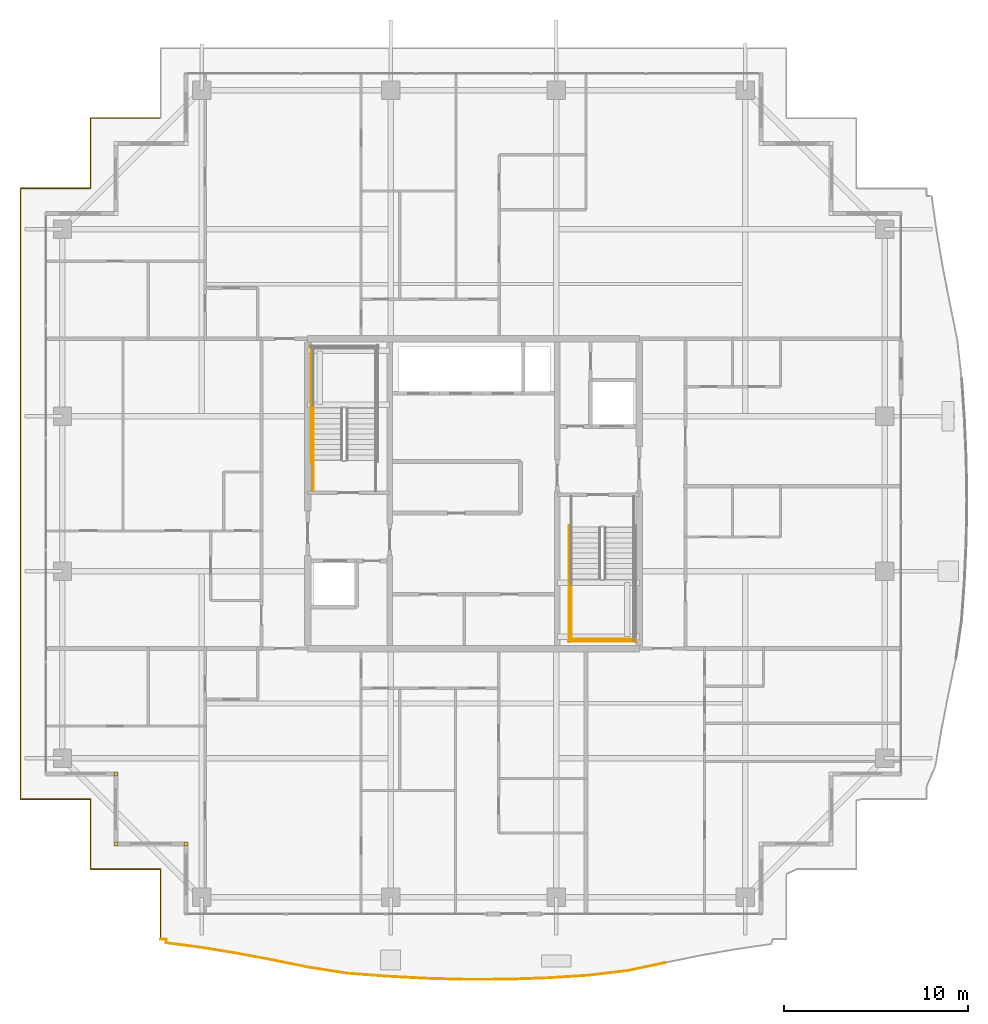
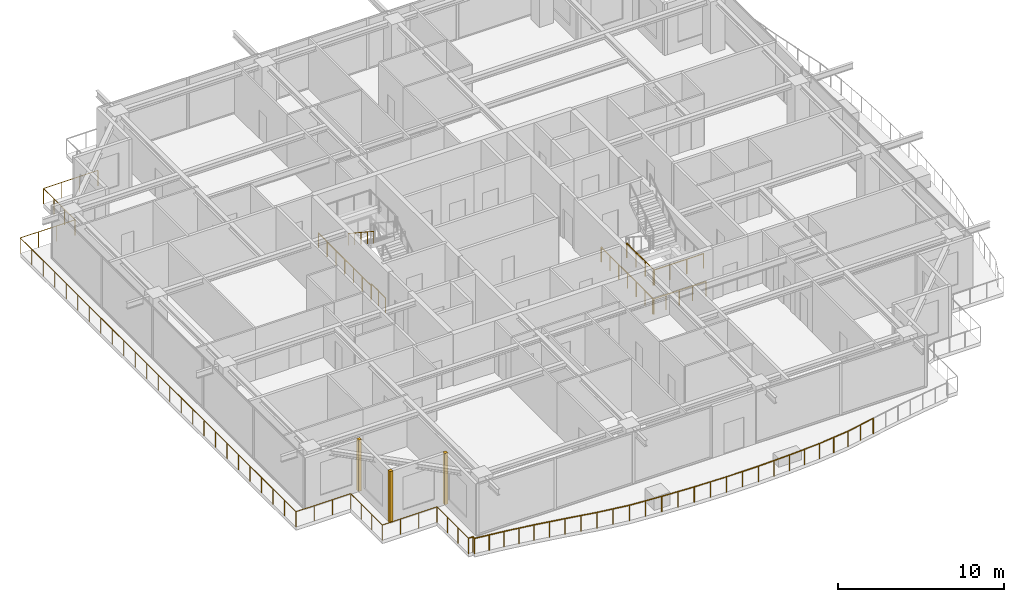
# One storey, part 38 of 42: 10 railings, 3 coverings.
"""IFC4 building model written with IfcOpenShell, lengths in metres."""

from ifc_helpers import new_model, si_unit, direction, frame, origin, origin_2d, place, context, subcontext, project, spatial, rectangle, circle, extrude, source, transform, mapped, material, layer, layer_set, type_object, element, save


model = new_model("IFC4")

# Units and contexts
model_context = context("Model", 3, precision=1e-05, world=origin(), true_north=direction((0.0, 1.0)))
body_context = subcontext(model_context, "Body", "Model", "MODEL_VIEW")
ifc_project = project(units=[si_unit("LENGTHUNIT", "METRE"), si_unit("AREAUNIT", "SQUARE_METRE"), si_unit("VOLUMEUNIT", "CUBIC_METRE"), si_unit("PLANEANGLEUNIT", "RADIAN"), si_unit("MASSUNIT", "GRAM", prefix="KILO")], contexts=[model_context])

# Site, building, storey
site_placement = place(None, origin())
site = spatial("IfcSite", under=ifc_project, at=site_placement, CompositionType="ELEMENT")
building_placement = place(site_placement, origin())
building = spatial("IfcBuilding", under=site, at=building_placement, Name="Serunith Strait Residences", CompositionType="ELEMENT")
storey_placement = place(building_placement, frame((0.0, 0.0, 309.64990234375)))
storey = spatial("IfcBuildingStorey", under=building, at=storey_placement, Name="L77", CompositionType="ELEMENT", Elevation=309.64990234375)

# Railings
ifc_material_1 = material(Name="Stainless Steel & Laminated Glass Balustrade", Category="steel")
railing_type_1 = type_object("IfcRailingType", Name="RLG-BALC-1150", PredefinedType="BALUSTRADE", material=ifc_material_1)
railing_1_placement = place(storey_placement, frame((15.419921875, 1.02001953125, -0.0498046875)))
element("IfcRailing", 1, at=railing_1_placement, inside=storey, type_object=railing_type_1, Name="L77 Swirling Balcony Perimeter Balustrade 1", PredefinedType="BALUSTRADE", context=body_context, shape_type="SweptSolid", body=[
    extrude(circle(Radius=0.02392578125, at=origin_2d()), frame((0.0, 0.001953125, 1.1259765625), z_axis=(0.0, 1.0, 0.0), x_axis=(-1.0, 0.0, 0.0)), (0.0, 0.0, 1.0), 3.796142578125),
    extrude(circle(Radius=0.02392578125, at=origin_2d()), frame((-0.001953125, 3.800048828125, 1.1259765625), z_axis=(-1.0, 0.0, 0.0), x_axis=(0.0, -1.0, 0.0)), (0.0, 0.0, 1.0), 3.7958984375),
    extrude(circle(Radius=0.02392578125, at=origin_2d()), frame((-3.7998046875, 3.802001953125, 1.1259765625), z_axis=(0.0, 1.0, 0.0), x_axis=(-1.0, 0.0, 0.0)), (0.0, 0.0, 1.0), 3.796142578125),
    extrude(circle(Radius=0.02392578125, at=origin_2d()), frame((-3.8017578125, 7.60009765625, 1.1259765625), z_axis=(-1.0, 0.0, 0.0), x_axis=(0.0, -1.0, 0.0)), (0.0, 0.0, 1.0), 3.796142578125),
    extrude(circle(Radius=0.02392578125, at=origin_2d()), frame((-7.599853515625, 7.60205078125, 1.1259765625), z_axis=(0.0, 1.0, 0.0), x_axis=(-1.0, 0.0, 0.0)), (0.0, 0.0, 1.0), 33.156005859375),
    extrude(circle(Radius=0.02392578125, at=origin_2d()), frame((-7.597900390625, 40.760009765625, 1.1259765625), z_axis=(1.0, 0.0, 0.0), x_axis=(0.0, 1.0, 0.0)), (0.0, 0.0, 1.0), 3.796142578125),
    extrude(circle(Radius=0.02392578125, at=origin_2d()), frame((-3.7998046875, 40.761962890625, 1.1259765625), z_axis=(0.0, 1.0, 0.0), x_axis=(-1.0, 0.0, 0.0)), (0.0, 0.0, 1.0), 3.796142578125),
    extrude(circle(Radius=0.02392578125, at=origin_2d()), frame((-3.7978515625, 44.56005859375, 1.1259765625), z_axis=(1.0, 0.0, 0.0), x_axis=(0.0, 1.0, 0.0)), (0.0, 0.0, 1.0), 3.783447265625),
    extrude(circle(Radius=0.02099609375, at=origin_2d()), origin(), (0.0, 0.0, 1.0), 1.099853515625),
    extrude(circle(Radius=0.02099609375, at=origin_2d()), frame((0.0, 1.2666015625, 0.0)), (0.0, 0.0, 1.0), 1.099853515625),
    extrude(circle(Radius=0.02099609375, at=origin_2d()), frame((0.0, 2.533447265625, 0.0)), (0.0, 0.0, 1.0), 1.099853515625),
    extrude(circle(Radius=0.02099609375, at=origin_2d()), frame((0.0, 3.800048828125, 0.0)), (0.0, 0.0, 1.0), 1.099853515625),
    extrude(circle(Radius=0.02099609375, at=origin_2d()), frame((-1.2666015625, 3.800048828125, 0.0)), (0.0, 0.0, 1.0), 1.099853515625),
    extrude(circle(Radius=0.02099609375, at=origin_2d()), frame((-2.533203125, 3.800048828125, 0.0)), (0.0, 0.0, 1.0), 1.099853515625),
    extrude(circle(Radius=0.02099609375, at=origin_2d()), frame((-3.7998046875, 3.800048828125, 0.0)), (0.0, 0.0, 1.0), 1.099853515625),
    extrude(circle(Radius=0.02099609375, at=origin_2d()), frame((-3.7998046875, 5.066650390625, 0.0)), (0.0, 0.0, 1.0), 1.099853515625),
    extrude(circle(Radius=0.02099609375, at=origin_2d()), frame((-3.7998046875, 6.33349609375, 0.0)), (0.0, 0.0, 1.0), 1.099853515625),
    extrude(circle(Radius=0.02099609375, at=origin_2d()), frame((-3.7998046875, 7.60009765625, 0.0)), (0.0, 0.0, 1.0), 1.099853515625),
    extrude(circle(Radius=0.02099609375, at=origin_2d()), frame((-5.06640625, 7.60009765625, 0.0)), (0.0, 0.0, 1.0), 1.099853515625),
    extrude(circle(Radius=0.02099609375, at=origin_2d()), frame((-6.333251953125, 7.60009765625, 0.0)), (0.0, 0.0, 1.0), 1.099853515625),
    extrude(circle(Radius=0.02099609375, at=origin_2d()), frame((-7.599853515625, 7.60009765625, 0.0)), (0.0, 0.0, 1.0), 1.099853515625),
    extrude(circle(Radius=0.02099609375, at=origin_2d()), frame((-7.599853515625, 8.981689453125, 0.0)), (0.0, 0.0, 1.0), 1.099853515625),
    extrude(circle(Radius=0.02099609375, at=origin_2d()), frame((-7.599853515625, 10.363525390625, 0.0)), (0.0, 0.0, 1.0), 1.099853515625),
    extrude(circle(Radius=0.02099609375, at=origin_2d()), frame((-7.599853515625, 11.7451171875, 0.0)), (0.0, 0.0, 1.0), 1.099853515625),
    extrude(circle(Radius=0.02099609375, at=origin_2d()), frame((-7.599853515625, 13.126708984375, 0.0)), (0.0, 0.0, 1.0), 1.099853515625),
    extrude(circle(Radius=0.02099609375, at=origin_2d()), frame((-7.599853515625, 14.50830078125, 0.0)), (0.0, 0.0, 1.0), 1.099853515625),
    extrude(circle(Radius=0.02099609375, at=origin_2d()), frame((-7.599853515625, 15.89013671875, 0.0)), (0.0, 0.0, 1.0), 1.099853515625),
    extrude(circle(Radius=0.02099609375, at=origin_2d()), frame((-7.599853515625, 17.271728515625, 0.0)), (0.0, 0.0, 1.0), 1.099853515625),
    extrude(circle(Radius=0.02099609375, at=origin_2d()), frame((-7.599853515625, 18.6533203125, 0.0)), (0.0, 0.0, 1.0), 1.099853515625),
    extrude(circle(Radius=0.02099609375, at=origin_2d()), frame((-7.599853515625, 20.03515625, 0.0)), (0.0, 0.0, 1.0), 1.099853515625),
    extrude(circle(Radius=0.02099609375, at=origin_2d()), frame((-7.599853515625, 21.416748046875, 0.0)), (0.0, 0.0, 1.0), 1.099853515625),
    extrude(circle(Radius=0.02099609375, at=origin_2d()), frame((-7.599853515625, 22.79833984375, 0.0)), (0.0, 0.0, 1.0), 1.099853515625),
    extrude(circle(Radius=0.02099609375, at=origin_2d()), frame((-7.599853515625, 24.18017578125, 0.0)), (0.0, 0.0, 1.0), 1.099853515625),
    extrude(circle(Radius=0.02099609375, at=origin_2d()), frame((-7.599853515625, 25.561767578125, 0.0)), (0.0, 0.0, 1.0), 1.099853515625),
    extrude(circle(Radius=0.02099609375, at=origin_2d()), frame((-7.599853515625, 26.943359375, 0.0)), (0.0, 0.0, 1.0), 1.099853515625),
    extrude(circle(Radius=0.02099609375, at=origin_2d()), frame((-7.599853515625, 28.324951171875, 0.0)), (0.0, 0.0, 1.0), 1.099853515625),
    extrude(circle(Radius=0.02099609375, at=origin_2d()), frame((-7.599853515625, 29.706787109375, 0.0)), (0.0, 0.0, 1.0), 1.099853515625),
    extrude(circle(Radius=0.02099609375, at=origin_2d()), frame((-7.599853515625, 31.08837890625, 0.0)), (0.0, 0.0, 1.0), 1.099853515625),
    extrude(circle(Radius=0.02099609375, at=origin_2d()), frame((-7.599853515625, 32.469970703125, 0.0)), (0.0, 0.0, 1.0), 1.099853515625),
    extrude(circle(Radius=0.02099609375, at=origin_2d()), frame((-7.599853515625, 33.851806640625, 0.0)), (0.0, 0.0, 1.0), 1.099853515625),
    extrude(circle(Radius=0.02099609375, at=origin_2d()), frame((-7.599853515625, 35.2333984375, 0.0)), (0.0, 0.0, 1.0), 1.099853515625),
    extrude(circle(Radius=0.02099609375, at=origin_2d()), frame((-7.599853515625, 36.614990234375, 0.0)), (0.0, 0.0, 1.0), 1.099853515625),
    extrude(circle(Radius=0.02099609375, at=origin_2d()), frame((-7.599853515625, 37.99658203125, 0.0)), (0.0, 0.0, 1.0), 1.099853515625),
    extrude(circle(Radius=0.02099609375, at=origin_2d()), frame((-7.599853515625, 39.37841796875, 0.0)), (0.0, 0.0, 1.0), 1.099853515625),
    extrude(circle(Radius=0.02099609375, at=origin_2d()), frame((-7.599853515625, 40.760009765625, 0.0)), (0.0, 0.0, 1.0), 1.099853515625),
    extrude(circle(Radius=0.02099609375, at=origin_2d()), frame((-6.333251953125, 40.760009765625, 0.0)), (0.0, 0.0, 1.0), 1.099853515625),
    extrude(circle(Radius=0.02099609375, at=origin_2d()), frame((-5.06640625, 40.760009765625, 0.0)), (0.0, 0.0, 1.0), 1.099853515625),
    extrude(circle(Radius=0.02099609375, at=origin_2d()), frame((-3.7998046875, 40.760009765625, 0.0)), (0.0, 0.0, 1.0), 1.099853515625),
    extrude(circle(Radius=0.02099609375, at=origin_2d()), frame((-3.7998046875, 42.026611328125, 0.0)), (0.0, 0.0, 1.0), 1.099853515625),
    extrude(circle(Radius=0.02099609375, at=origin_2d()), frame((-3.7998046875, 43.29345703125, 0.0)), (0.0, 0.0, 1.0), 1.099853515625),
    extrude(circle(Radius=0.02099609375, at=origin_2d()), frame((-3.7998046875, 44.56005859375, 0.0)), (0.0, 0.0, 1.0), 1.099853515625),
    extrude(circle(Radius=0.02099609375, at=origin_2d()), frame((-2.537353515625, 44.56005859375, 0.0)), (0.0, 0.0, 1.0), 1.099853515625),
    extrude(circle(Radius=0.02099609375, at=origin_2d()), frame((-1.27490234375, 44.56005859375, 0.0)), (0.0, 0.0, 1.0), 1.099853515625),
    extrude(circle(Radius=0.02099609375, at=origin_2d()), frame((-0.012451171875, 44.56005859375, 0.0)), (0.0, 0.0, 1.0), 1.099853515625),
])
railing_2_placement = place(storey_placement, frame((42.79931640625, -0.249267578125, -0.0498046875)))
element("IfcRailing", 2, at=railing_2_placement, inside=storey, type_object=railing_type_1, Name="L77 Swirling Balcony Perimeter Balustrade 7", PredefinedType="BALUSTRADE", context=body_context, shape_type="SweptSolid", body=[
    extrude(circle(Radius=0.02392578125, at=origin_2d()), frame((-0.001953125, -0.00048828125, 1.1259765625), z_axis=(-0.978369673198, -0.206864164532, 0.0), x_axis=(0.206864164532, -0.978369673198, 0.0)), (0.0, 0.0, 1.0), 2.04248046875),
    extrude(circle(Radius=0.02392578125, at=origin_2d()), frame((-2.004150390625, -0.423583984375, 1.1259765625), z_axis=(-0.992693869416, -0.120660190714, 0.0), x_axis=(0.120660190714, -0.992693869416, 0.0)), (0.0, 0.0, 1.0), 2.12451171875),
    extrude(circle(Radius=0.02392578125, at=origin_2d()), frame((-4.1171875, -0.680419921875, 1.1259765625), z_axis=(-0.997929950469, -0.064310294327, 0.0), x_axis=(0.064310294327, -0.997929950469, 0.0)), (0.0, 0.0, 1.0), 2.175048828125),
    extrude(circle(Radius=0.02392578125, at=origin_2d()), frame((-6.291748046875, -0.8203125, 1.1259765625), z_axis=(-0.999355779487, -0.035889079201, 0.0), x_axis=(0.035889079201, -0.999355779487, 0.0)), (0.0, 0.0, 1.0), 2.199951171875),
    extrude(circle(Radius=0.02392578125, at=origin_2d()), frame((-8.494384765625, -0.8994140625, 1.1259765625), z_axis=(-0.999988769534, -0.004739283268, 0.0), x_axis=(0.004739283268, -0.999988769534, 0.0)), (0.0, 0.0, 1.0), 2.211181640625),
    extrude(circle(Radius=0.02392578125, at=origin_2d()), frame((-10.70947265625, -0.909912109375, 1.1259765625), z_axis=(-0.999657577256, 0.026167312327, 0.0), x_axis=(-0.026167312327, -0.999657577256, 0.0)), (0.0, 0.0, 1.0), 2.207275390625),
    extrude(circle(Radius=0.02392578125, at=origin_2d()), frame((-12.919921875, -0.85205078125, 1.1259765625), z_axis=(-0.998565369993, 0.053546258971, 0.0), x_axis=(-0.053546258971, -0.998565369993, 0.0)), (0.0, 0.0, 1.0), 2.189208984375),
    extrude(circle(Radius=0.02099609375, at=origin_2d()), origin(), (0.0, 0.0, 1.0), 1.099853515625),
    extrude(circle(Radius=0.02099609375, at=origin_2d()), frame((-1.0009765625, -0.211669921875, 0.0)), (0.0, 0.0, 1.0), 1.099853515625),
    extrude(circle(Radius=0.02099609375, at=origin_2d()), frame((-2.002197265625, -0.42333984375, 0.0)), (0.0, 0.0, 1.0), 1.099853515625),
    extrude(circle(Radius=0.02099609375, at=origin_2d()), frame((-3.05859375, -0.5517578125, 0.0)), (0.0, 0.0, 1.0), 1.099853515625),
    extrude(circle(Radius=0.02099609375, at=origin_2d()), frame((-4.115234375, -0.68017578125, 0.0)), (0.0, 0.0, 1.0), 1.099853515625),
    extrude(circle(Radius=0.02099609375, at=origin_2d()), frame((-5.20263671875, -0.750244140625, 0.0)), (0.0, 0.0, 1.0), 1.099853515625),
    extrude(circle(Radius=0.02099609375, at=origin_2d()), frame((-6.289794921875, -0.8203125, 0.0)), (0.0, 0.0, 1.0), 1.099853515625),
    extrude(circle(Radius=0.02099609375, at=origin_2d()), frame((-7.39111328125, -0.85986328125, 0.0)), (0.0, 0.0, 1.0), 1.099853515625),
    extrude(circle(Radius=0.02099609375, at=origin_2d()), frame((-8.492431640625, -0.8994140625, 0.0)), (0.0, 0.0, 1.0), 1.099853515625),
    extrude(circle(Radius=0.02099609375, at=origin_2d()), frame((-9.60009765625, -0.90478515625, 0.0)), (0.0, 0.0, 1.0), 1.099853515625),
    extrude(circle(Radius=0.02099609375, at=origin_2d()), frame((-10.70751953125, -0.909912109375, 0.0)), (0.0, 0.0, 1.0), 1.099853515625),
    extrude(circle(Radius=0.02099609375, at=origin_2d()), frame((-11.812744140625, -0.880859375, 0.0)), (0.0, 0.0, 1.0), 1.099853515625),
    extrude(circle(Radius=0.02099609375, at=origin_2d()), frame((-12.91796875, -0.85205078125, 0.0)), (0.0, 0.0, 1.0), 1.099853515625),
    extrude(circle(Radius=0.02099609375, at=origin_2d()), frame((-14.012939453125, -0.79345703125, 0.0)), (0.0, 0.0, 1.0), 1.099853515625),
    extrude(circle(Radius=0.02099609375, at=origin_2d()), frame((-15.10791015625, -0.734619140625, 0.0)), (0.0, 0.0, 1.0), 1.099853515625),
])
railing_3_placement = place(storey_placement, frame((27.69140625, -0.98388671875, -0.0498046875)))
element("IfcRailing", 3, at=railing_3_placement, inside=storey, type_object=railing_type_1, Name="L77 Swirling Balcony Perimeter Balustrade 8", PredefinedType="BALUSTRADE", context=body_context, shape_type="SweptSolid", body=[
    extrude(circle(Radius=0.02392578125, at=origin_2d()), frame((-0.001953125, 0.000244140625, 1.1259765625), z_axis=(-0.997156448003, 0.075359260919, 0.0), x_axis=(-0.075359260919, -0.997156448003, 0.0)), (0.0, 0.0, 1.0), 2.16015625),
    extrude(circle(Radius=0.02392578125, at=origin_2d()), frame((-2.159912109375, 0.163330078125, 1.1259765625), z_axis=(-0.988158410865, 0.153437137083, 0.0), x_axis=(-0.153437137083, -0.988158410865, 0.0)), (0.0, 0.0, 1.0), 2.09619140625),
    extrude(circle(Radius=0.02392578125, at=origin_2d()), frame((-4.2353515625, 0.48583984375, 1.1259765625), z_axis=(-0.979893564405, 0.199520932332, 0.0), x_axis=(-0.199520932332, -0.979893564405, 0.0)), (0.0, 0.0, 1.0), 2.022216796875),
    extrude(circle(Radius=0.02392578125, at=origin_2d()), frame((-6.220947265625, 0.89013671875, 1.1259765625), z_axis=(-0.982870785717, 0.184296008051, 0.0), x_axis=(-0.184296008051, -0.982870785717, 0.0)), (0.0, 0.0, 1.0), 1.968505859375),
    extrude(circle(Radius=0.02392578125, at=origin_2d()), frame((-8.15966796875, 1.25341796875, 1.1259765625), z_axis=(-0.987226403613, 0.159323658033, 0.0), x_axis=(-0.159323658033, -0.987226403613, 0.0)), (0.0, 0.0, 1.0), 1.931396484375),
    extrude(circle(Radius=0.02392578125, at=origin_2d()), frame((-10.0703125, 1.561767578125, 1.1259765625), z_axis=(-0.991390822333, 0.130936004956, 0.0), x_axis=(-0.130936004956, -0.991390822333, 0.0)), (0.0, 0.0, 1.0), 1.910888671875),
    extrude(circle(Radius=0.02392578125, at=origin_2d()), frame((-11.966796875, 1.814208984375, 1.1259765625), z_axis=(0.00764308885, 0.99997079117, 0.0), x_axis=(-0.99997079117, 0.00764308885, 0.0)), (0.0, 0.0, 1.0), 0.187744140625),
    extrude(circle(Radius=0.02392578125, at=origin_2d()), frame((-11.96728515625, 2.00390625, 1.1259765625), z_axis=(-1.0, 0.0, 0.0), x_axis=(0.0, -1.0, 0.0)), (0.0, 0.0, 1.0), 0.30224609375),
    extrude(circle(Radius=0.02099609375, at=origin_2d()), origin(), (0.0, 0.0, 1.0), 1.099853515625),
    extrude(circle(Radius=0.02099609375, at=origin_2d()), frame((-1.0791015625, 0.08154296875, 0.0)), (0.0, 0.0, 1.0), 1.099853515625),
    extrude(circle(Radius=0.02099609375, at=origin_2d()), frame((-2.157958984375, 0.1630859375, 0.0)), (0.0, 0.0, 1.0), 1.099853515625),
    extrude(circle(Radius=0.02099609375, at=origin_2d()), frame((-3.19580078125, 0.32421875, 0.0)), (0.0, 0.0, 1.0), 1.099853515625),
    extrude(circle(Radius=0.02099609375, at=origin_2d()), frame((-4.2333984375, 0.4853515625, 0.0)), (0.0, 0.0, 1.0), 1.099853515625),
    extrude(circle(Radius=0.02099609375, at=origin_2d()), frame((-5.22607421875, 0.6875, 0.0)), (0.0, 0.0, 1.0), 1.099853515625),
    extrude(circle(Radius=0.02099609375, at=origin_2d()), frame((-6.218994140625, 0.8896484375, 0.0)), (0.0, 0.0, 1.0), 1.099853515625),
    extrude(circle(Radius=0.02099609375, at=origin_2d()), frame((-7.1884765625, 1.0712890625, 0.0)), (0.0, 0.0, 1.0), 1.099853515625),
    extrude(circle(Radius=0.02099609375, at=origin_2d()), frame((-8.15771484375, 1.253173828125, 0.0)), (0.0, 0.0, 1.0), 1.099853515625),
    extrude(circle(Radius=0.02099609375, at=origin_2d()), frame((-9.113037109375, 1.4072265625, 0.0)), (0.0, 0.0, 1.0), 1.099853515625),
    extrude(circle(Radius=0.02099609375, at=origin_2d()), frame((-10.068359375, 1.5615234375, 0.0)), (0.0, 0.0, 1.0), 1.099853515625),
    extrude(circle(Radius=0.02099609375, at=origin_2d()), frame((-11.017578125, 1.68701171875, 0.0)), (0.0, 0.0, 1.0), 1.099853515625),
    extrude(circle(Radius=0.02099609375, at=origin_2d()), frame((-11.966796875, 1.812255859375, 0.0)), (0.0, 0.0, 1.0), 1.099853515625),
    extrude(circle(Radius=0.02099609375, at=origin_2d()), frame((-11.96533203125, 2.00390625, 0.0)), (0.0, 0.0, 1.0), 1.099853515625),
    extrude(circle(Radius=0.02099609375, at=origin_2d()), frame((-12.271484375, 2.00390625, 0.0)), (0.0, 0.0, 1.0), 1.099853515625),
])
ifc_material_2 = material(Name="Brushed stainless steel 316L", Category="steel")
railing_type_2 = type_object("IfcRailingType", Name="RLG-STAIR-GUARD", PredefinedType="BALUSTRADE", material=ifc_material_2)
railing_4_placement = place(storey_placement, frame((23.699951171875, 25.35009765625, 0.0)))
element("IfcRailing", 4, at=railing_4_placement, inside=storey, type_object=railing_type_2, Name="L77 ST-1 stair guard 9", PredefinedType="BALUSTRADE", context=body_context, shape_type="SweptSolid", body=[
    extrude(circle(Radius=0.02392578125, at=origin_2d()), frame((0.0, 0.001953125, 1.076171875), z_axis=(0.0, 1.0, 0.0), x_axis=(-1.0, 0.0, 0.0)), (0.0, 0.0, 1.0), 1.676025390625),
    extrude(circle(Radius=0.02099609375, at=origin_2d()), origin(), (0.0, 0.0, 1.0), 1.050048828125),
    extrude(circle(Radius=0.02099609375, at=origin_2d()), frame((0.0, 0.83984375, 0.0)), (0.0, 0.0, 1.0), 1.050048828125),
    extrude(circle(Radius=0.02099609375, at=origin_2d()), frame((0.0, 1.679931640625, 0.0)), (0.0, 0.0, 1.0), 1.050048828125),
])
railing_5_placement = place(storey_placement, frame((23.60009765625, 26.929931640625, 0.0)))
element("IfcRailing", 5, at=railing_5_placement, inside=storey, type_object=railing_type_2, Name="L77 ST-1 stair guard 11", PredefinedType="BALUSTRADE", context=body_context, shape_type="SweptSolid", body=[
    extrude(circle(Radius=0.02392578125, at=origin_2d()), frame((0.0, 0.001953125, 1.076171875), z_axis=(0.0, 1.0, 0.0), x_axis=(-1.0, 0.0, 0.0)), (0.0, 0.0, 1.0), 6.316162109375),
    extrude(circle(Radius=0.02099609375, at=origin_2d()), origin(), (0.0, 0.0, 1.0), 1.050048828125),
    extrude(circle(Radius=0.02099609375, at=origin_2d()), frame((0.0, 1.05322265625, 0.0)), (0.0, 0.0, 1.0), 1.050048828125),
    extrude(circle(Radius=0.02099609375, at=origin_2d()), frame((0.0, 2.106689453125, 0.0)), (0.0, 0.0, 1.0), 1.050048828125),
    extrude(circle(Radius=0.02099609375, at=origin_2d()), frame((0.0, 3.16015625, 0.0)), (0.0, 0.0, 1.0), 1.050048828125),
    extrude(circle(Radius=0.02099609375, at=origin_2d()), frame((0.0, 4.21337890625, 0.0)), (0.0, 0.0, 1.0), 1.050048828125),
    extrude(circle(Radius=0.02099609375, at=origin_2d()), frame((0.0, 5.2666015625, 0.0)), (0.0, 0.0, 1.0), 1.050048828125),
    extrude(circle(Radius=0.02099609375, at=origin_2d()), frame((0.0, 6.320068359375, 0.0)), (0.0, 0.0, 1.0), 1.050048828125),
])
railing_6_placement = place(storey_placement, frame((37.699951171875, 20.570068359375, 2.025146484375)))
element("IfcRailing", 6, at=railing_6_placement, inside=storey, type_object=railing_type_2, Name="L77 ST-2 stair guard 3", PredefinedType="BALUSTRADE", context=body_context, shape_type="SweptSolid", body=[
    extrude(circle(Radius=0.02392578125, at=origin_2d()), frame((0.0, -0.001953125, 1.076171875), z_axis=(0.0, -1.0, 0.0), x_axis=(1.0, 0.0, 0.0)), (0.0, 0.0, 1.0), 3.316162109375),
    extrude(circle(Radius=0.02099609375, at=origin_2d()), origin(), (0.0, 0.0, 1.0), 1.050048828125),
    extrude(circle(Radius=0.02099609375, at=origin_2d()), frame((0.0, -1.106689453125, 0.0)), (0.0, 0.0, 1.0), 1.050048828125),
    extrude(circle(Radius=0.02099609375, at=origin_2d()), frame((0.0, -2.21337890625, 0.0)), (0.0, 0.0, 1.0), 1.050048828125),
    extrude(circle(Radius=0.02099609375, at=origin_2d()), frame((0.0, -3.320068359375, 0.0)), (0.0, 0.0, 1.0), 1.050048828125),
])
railing_7_placement = place(storey_placement, frame((37.64990234375, 17.300048828125, 2.025146484375)))
element("IfcRailing", 7, at=railing_7_placement, inside=storey, type_object=railing_type_2, Name="L77 ST-2 stair guard 5", PredefinedType="BALUSTRADE", context=body_context, shape_type="SweptSolid", body=[
    extrude(circle(Radius=0.02392578125, at=origin_2d()), frame((0.001953125, 0.0, 1.076171875), z_axis=(1.0, 0.0, 0.0), x_axis=(0.0, 1.0, 0.0)), (0.0, 0.0, 1.0), 3.49609375),
    extrude(circle(Radius=0.02099609375, at=origin_2d()), origin(), (0.0, 0.0, 1.0), 1.050048828125),
    extrude(circle(Radius=0.02099609375, at=origin_2d()), frame((1.166748046875, 0.0, 0.0)), (0.0, 0.0, 1.0), 1.050048828125),
    extrude(circle(Radius=0.02099609375, at=origin_2d()), frame((2.333251953125, 0.0, 0.0)), (0.0, 0.0, 1.0), 1.050048828125),
    extrude(circle(Radius=0.02099609375, at=origin_2d()), frame((3.5, 0.0, 0.0)), (0.0, 0.0, 1.0), 1.050048828125),
])
railing_8_placement = place(storey_placement, frame((37.60009765625, 23.469970703125, 0.0)))
element("IfcRailing", 8, at=railing_8_placement, inside=storey, type_object=railing_type_2, Name="L77 ST-2 stair guard 10", PredefinedType="BALUSTRADE", context=body_context, shape_type="SweptSolid", body=[
    extrude(circle(Radius=0.02392578125, at=origin_2d()), frame((0.0, -0.001953125, 1.076171875), z_axis=(0.0, -1.0, 0.0), x_axis=(1.0, 0.0, 0.0)), (0.0, 0.0, 1.0), 6.316162109375),
    extrude(circle(Radius=0.02099609375, at=origin_2d()), origin(), (0.0, 0.0, 1.0), 1.050048828125),
    extrude(circle(Radius=0.02099609375, at=origin_2d()), frame((0.0, -1.05322265625, 0.0)), (0.0, 0.0, 1.0), 1.050048828125),
    extrude(circle(Radius=0.02099609375, at=origin_2d()), frame((0.0, -2.106689453125, 0.0)), (0.0, 0.0, 1.0), 1.050048828125),
    extrude(circle(Radius=0.02099609375, at=origin_2d()), frame((0.0, -3.16015625, 0.0)), (0.0, 0.0, 1.0), 1.050048828125),
    extrude(circle(Radius=0.02099609375, at=origin_2d()), frame((0.0, -4.21337890625, 0.0)), (0.0, 0.0, 1.0), 1.050048828125),
    extrude(circle(Radius=0.02099609375, at=origin_2d()), frame((0.0, -5.2666015625, 0.0)), (0.0, 0.0, 1.0), 1.050048828125),
    extrude(circle(Radius=0.02099609375, at=origin_2d()), frame((0.0, -6.320068359375, 0.0)), (0.0, 0.0, 1.0), 1.050048828125),
])
railing_9_placement = place(storey_placement, frame((37.550048828125, 17.199951171875, 0.0)))
element("IfcRailing", 9, at=railing_9_placement, inside=storey, type_object=railing_type_2, Name="L77 ST-2 stair guard 12", PredefinedType="BALUSTRADE", context=body_context, shape_type="SweptSolid", body=[
    extrude(circle(Radius=0.02392578125, at=origin_2d()), frame((0.001953125, 0.0, 1.076171875), z_axis=(1.0, 0.0, 0.0), x_axis=(0.0, 1.0, 0.0)), (0.0, 0.0, 1.0), 3.696044921875),
    extrude(circle(Radius=0.02099609375, at=origin_2d()), origin(), (0.0, 0.0, 1.0), 1.050048828125),
    extrude(circle(Radius=0.02099609375, at=origin_2d()), frame((0.925048828125, 0.0, 0.0)), (0.0, 0.0, 1.0), 1.050048828125),
    extrude(circle(Radius=0.02099609375, at=origin_2d()), frame((1.85009765625, 0.0, 0.0)), (0.0, 0.0, 1.0), 1.050048828125),
    extrude(circle(Radius=0.02099609375, at=origin_2d()), frame((2.77490234375, 0.0, 0.0)), (0.0, 0.0, 1.0), 1.050048828125),
    extrude(circle(Radius=0.02099609375, at=origin_2d()), frame((3.699951171875, 0.0, 0.0)), (0.0, 0.0, 1.0), 1.050048828125),
])
railing_type_3 = type_object("IfcRailingType", Name="RLG-STAIR-HR", PredefinedType="HANDRAIL", material=ifc_material_2)
railing_10_placement = place(storey_placement, frame((23.699951171875, 29.830078125, 2.209228515625)))
element("IfcRailing", 10, at=railing_10_placement, inside=storey, type_object=railing_type_3, Name="L77 ST-1 stair handrail 2", PredefinedType="HANDRAIL", context=body_context, shape_type="SweptSolid", body=[
    extrude(circle(Radius=0.02392578125, at=origin_2d()), frame((0.0, -0.001708984375, 0.876953125), z_axis=(0.0, -0.83496096917, 0.550309167616), x_axis=(1.0, 0.0, 0.0)), (0.0, 0.0, 1.0), 3.684814453125),
    extrude(circle(Radius=0.02099609375, at=origin_2d()), origin(), (0.0, 0.0, 1.0), 0.849853515625),
    extrude(circle(Radius=0.02099609375, at=origin_2d()), frame((0.0, -0.77001953125, 0.507568359375)), (0.0, 0.0, 1.0), 0.849853515625),
    extrude(circle(Radius=0.02099609375, at=origin_2d()), frame((0.0, -1.5400390625, 1.01513671875)), (0.0, 0.0, 1.0), 0.849853515625),
    extrude(circle(Radius=0.02099609375, at=origin_2d()), frame((0.0, -2.31005859375, 1.5224609375)), (0.0, 0.0, 1.0), 0.849853515625),
    extrude(circle(Radius=0.02099609375, at=origin_2d()), frame((0.0, -3.080078125, 2.030029296875)), (0.0, 0.0, 1.0), 0.849853515625),
])

# Coverings
ifc_material_3 = material(Name="Pale-Champagne Anodised Aluminium", Category="aluminium")
ifc_layer = layer(ifc_material_3, 0.219970703125, Name="Pale-Champagne Anodised Aluminium")
ifc_layer_set = layer_set([ifc_layer], Name="Pale-Champagne Anodised Aluminium")
covering_type = type_object("IfcCoveringType", Name="COV-CORN-TRIM", PredefinedType="CLADDING", material=ifc_layer_set)
shared_shape = source(origin(), body_context, "Body", "SweptSolid", [
    extrude(rectangle(XDim=0.221923828125, YDim=0.221923828125, at=origin_2d()), origin(), (0.0, 0.0, 1.0), 3.77490234375),
])
for number, where, z_axis, x_axis, name in (
    (11, (13.0, 10.0, 0.000244140625), (0.0, 0.0, 1.0), (1.0, 0.0, 0.0), "L77 Girih Serrated Corner Trim Post 17"),
    (12, (13.0, 6.199951171875, 0.000244140625), (0.0, 0.0, 1.0), (1.0, 0.0, 0.0), "L77 Girih Serrated Corner Trim Post 18"),
    (13, (16.800048828125, 6.199951171875, 0.000244140625), (0.0, 0.0, 1.0), (1.0, 0.0, 0.0), "L77 Girih Serrated Corner Trim Post 19"),
):
    element("IfcCovering", number, at=place(storey_placement, frame(where, z_axis=z_axis, x_axis=x_axis)), inside=storey, type_object=covering_type, Name=name, PredefinedType="CLADDING", context=body_context, shape_type="MappedRepresentation", body=[
        mapped(shared_shape, transform((0.0, 0.0, 0.0), scale=1.0)),
    ])

save(model, "model.ifc")
